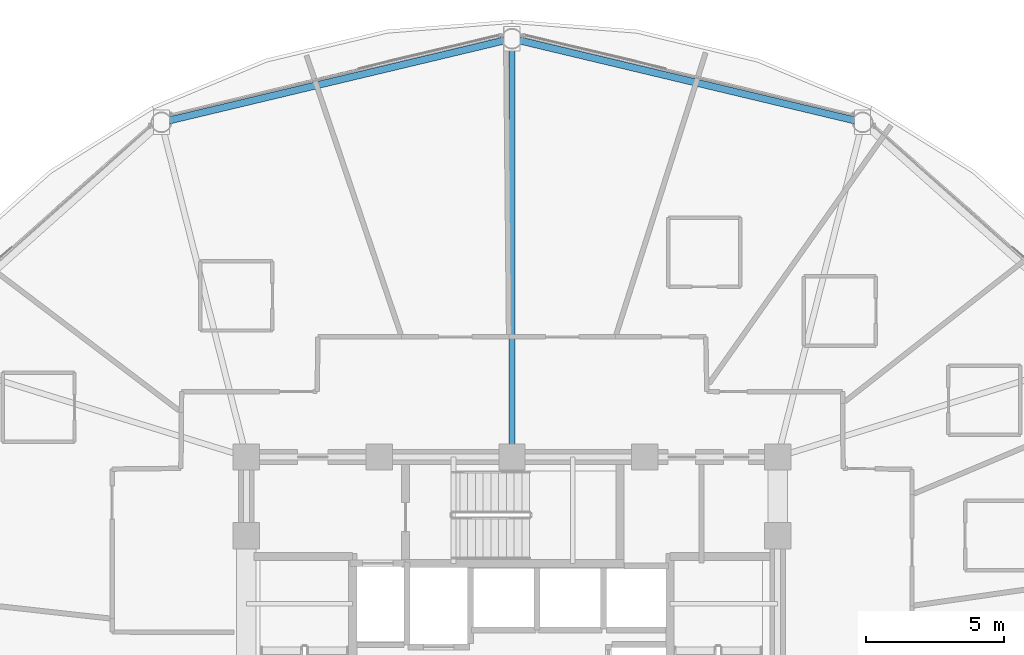
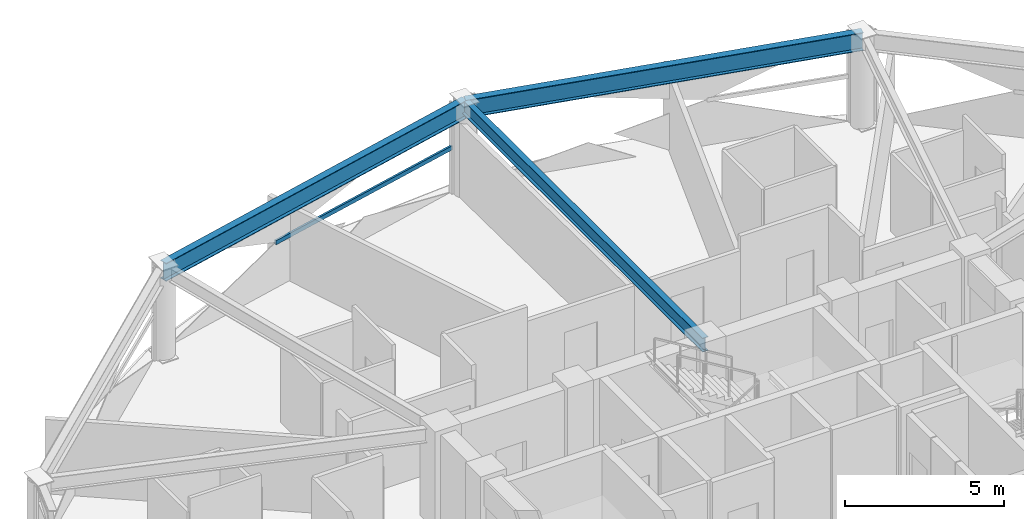
# One storey, part 17 of 31: 3 beams, 1 member, 1 element without a shape of its own.
"""IFC4 building model written with IfcOpenShell, lengths in metres."""

import ifcopenshell
import ifcopenshell.guid

model = None  # the IFC model being written
_history = None  # IfcOwnerHistory: only IFC2X3 demands one
_inside = {}  # id of a spatial element -> (the spatial element, [elements in it])
_under = {}  # id of a project, library or spatial element -> (it, [spatial elements below it])
_declared = {}  # id of a project -> (the project, [libraries it declares])
_typed = {}  # id of a type object -> (the type object, [elements of that type])
_made_of = {}  # id of a material, layer set ... -> (it, [elements and type objects made of it])


def new_model(schema):
    """Start an empty IFC model of exactly this schema.

    Asked for "IFC4X3", IfcOpenShell would pick the latest addendum, in which some entities
    have other attributes; the version numbers below select the first issue.
    IFC2X3 requires an IfcOwnerHistory on every rooted entity: one is made here for all.
    """
    global model, _history
    if schema == "IFC4X3":
        model = ifcopenshell.file(schema_version=(4, 3, 0, 0))
    else:
        model = ifcopenshell.file(schema=schema)
    _inside.clear()
    _under.clear()
    _declared.clear()
    _typed.clear()
    _made_of.clear()
    _history = None
    if model.schema == "IFC2X3":
        org = make("IfcOrganization", Name="unknown")
        user = make(
            "IfcPersonAndOrganization",
            ThePerson=make("IfcPerson", FamilyName="unknown"),
            TheOrganization=org,
        )
        app = make(
            "IfcApplication",
            ApplicationDeveloper=org,
            Version="unknown",
            ApplicationFullName="unknown",
            ApplicationIdentifier="unknown",
        )
        _history = make(
            "IfcOwnerHistory",
            OwningUser=user,
            OwningApplication=app,
            ChangeAction="ADDED",
            CreationDate=0,
        )
    return model


def make(cls, **values):
    """One entity of the class cls with the attributes given. An attribute that is None is left unset."""
    return model.create_entity(
        cls, **{name: value for name, value in values.items() if value is not None}
    )


def rooted(cls, **values):
    """An entity with a GlobalId (a new one), such as an element, a storey or a relation."""
    return make(cls, GlobalId=ifcopenshell.guid.new(), OwnerHistory=_history, **values)


def si_unit(unit_type, name, prefix=None):
    """IfcSIUnit, for example si_unit("LENGTHUNIT", "METRE", prefix="MILLI")."""
    return make("IfcSIUnit", UnitType=unit_type, Prefix=prefix, Name=name)


def assignment(units):
    """IfcUnitAssignment: the units of a project."""
    return None if units is None else make("IfcUnitAssignment", Units=units)


def point(xyz):
    """IfcCartesianPoint."""
    return None if xyz is None else make("IfcCartesianPoint", Coordinates=xyz)


def direction(xyz):
    """IfcDirection."""
    return None if xyz is None else make("IfcDirection", DirectionRatios=xyz)


def frame(location, z_axis=None, x_axis=None):
    """IfcAxis2Placement3D, a coordinate frame: its origin and axes. An axis left out is left unset."""
    return make(
        "IfcAxis2Placement3D",
        Location=point(location),
        Axis=direction(z_axis),
        RefDirection=direction(x_axis),
    )


def frame_2d(location, x_axis=None):
    """IfcAxis2Placement2D, a coordinate frame in the plane: its origin and x axis."""
    return make(
        "IfcAxis2Placement2D", Location=point(location), RefDirection=direction(x_axis)
    )


def origin():
    """The frame at (0, 0, 0) with its axes left unset."""
    return frame((0.0, 0.0, 0.0))


def origin_2d():
    """The frame at (0, 0) in the plane with its x axis left unset."""
    return frame_2d((0.0, 0.0))


def place(relative_to, where):
    """IfcLocalPlacement: puts the frame where relative to a parent placement (None: the world)."""
    return make(
        "IfcLocalPlacement", PlacementRelTo=relative_to, RelativePlacement=where
    )


def context(
    kind, dimensions, precision=None, world=None, true_north=None, identifier=None
):
    """IfcGeometricRepresentationContext, for example the 3D "Model" context."""
    return make(
        "IfcGeometricRepresentationContext",
        ContextIdentifier=identifier,
        ContextType=kind,
        CoordinateSpaceDimension=dimensions,
        Precision=precision,
        WorldCoordinateSystem=world,
        TrueNorth=true_north,
    )


def subcontext(parent, identifier, kind, view, scale=None):
    """IfcGeometricRepresentationSubContext, for example "Body" below "Model"."""
    return make(
        "IfcGeometricRepresentationSubContext",
        ContextIdentifier=identifier,
        ContextType=kind,
        ParentContext=parent,
        TargetScale=scale,
        TargetView=view,
    )


def project(units=None, contexts=None):
    """IfcProject with its units and contexts."""
    return rooted(
        "IfcProject",
        Name="project",
        RepresentationContexts=contexts,
        UnitsInContext=assignment(units),
    )


def spatial(cls, under=None, at=None, **own):
    """A site, building, storey or space (cls), placed at a placement, below another one or the project."""
    s = rooted(cls, ObjectPlacement=at, **own)
    if under is not None:
        _under.setdefault(under.id(), (under, []))[1].append(s)
    return s


def profile(cls, at=None, kind="AREA", **sizes):
    """A parametric profile (cls). Its sizes go by their IFC names, for example OverallWidth=200.0."""
    return make(cls, ProfileType=kind, Position=at, **sizes)


def hollow_rectangle(**sizes):
    """IfcRectangleHollowProfileDef."""
    return profile("IfcRectangleHollowProfileDef", **sizes)


def i_section(**sizes):
    """IfcIShapeProfileDef."""
    return profile("IfcIShapeProfileDef", **sizes)


def extrude(swept, where, along, depth):
    """IfcExtrudedAreaSolid: the profile swept, set in the frame where, extruded along a direction by depth."""
    return make(
        "IfcExtrudedAreaSolid",
        SweptArea=swept,
        Position=where,
        ExtrudedDirection=direction(along),
        Depth=depth,
    )


def shape(context_of_items, identifier, shape_type, items):
    """IfcShapeRepresentation: the items that make up one representation, for example the "Body"."""
    return make(
        "IfcShapeRepresentation",
        ContextOfItems=context_of_items,
        RepresentationIdentifier=identifier,
        RepresentationType=shape_type,
        Items=items,
    )


def material(Name=None, Category=None):
    """IfcMaterial."""
    return make("IfcMaterial", Name=Name, Category=Category)


def layer(
    of_material, thickness, ventilated=None, Name=None, Category=None, Priority=None
):
    """IfcMaterialLayer: one layer of a wall or slab, of a material (None: an air gap)."""
    return make(
        "IfcMaterialLayer",
        Material=of_material,
        LayerThickness=thickness,
        IsVentilated=ventilated,
        Name=Name,
        Category=Category,
        Priority=Priority,
    )


def layer_set(layers, Name=None):
    """IfcMaterialLayerSet."""
    return make("IfcMaterialLayerSet", MaterialLayers=layers, LayerSetName=Name)


def material_profile(
    of_material, cross_section, Name=None, Category=None, Priority=None
):
    """IfcMaterialProfile: a cross section and its material."""
    return make(
        "IfcMaterialProfile",
        Name=Name,
        Material=of_material,
        Profile=cross_section,
        Priority=Priority,
        Category=Category,
    )


def profile_set(profiles, Name=None, composite=None):
    """IfcMaterialProfileSet."""
    return make(
        "IfcMaterialProfileSet",
        Name=Name,
        MaterialProfiles=profiles,
        CompositeProfile=composite,
    )


def made_of(thing, what):
    """Note that an element or type object is made of a material, layer set ...; save() writes the relation."""
    if what is not None:
        _made_of.setdefault(what.id(), (what, []))[1].append(thing)
    return thing


def type_object(cls, material=None, **own):
    """A type object (cls), such as IfcWallType, which elements share."""
    return made_of(rooted(cls, **own), material)


def element(
    cls,
    number,
    at=None,
    inside=None,
    cuts=None,
    type_object=None,
    material=None,
    context=None,
    identifier="Body",
    shape_type=None,
    held_by="IfcProductDefinitionShape",
    body=None,
    shapes=None,
    **own,
):
    """One element of the class cls, such as IfcWall. Its Tag is "e" and its number.

    at: its placement. inside: the storey or other place that contains it. cuts: it is an
    opening in that element (IfcRelVoidsElement). A single representation is given by context,
    identifier, shape_type and body (its items); several are given by shapes. held_by: the class
    of the entity that holds the representations. save() writes the other relations.
    """
    e = rooted(cls, Tag="e%d" % number, ObjectPlacement=at, **own)
    if body is not None:
        shapes = [shape(context, identifier, shape_type, body)]
    if shapes is not None:
        e.Representation = make(held_by, Representations=shapes)
    if inside is not None:
        _inside.setdefault(inside.id(), (inside, []))[1].append(e)
    if cuts is not None:
        rooted(
            "IfcRelVoidsElement", RelatingBuildingElement=cuts, RelatedOpeningElement=e
        )
    if type_object is not None:
        _typed.setdefault(type_object.id(), (type_object, []))[1].append(e)
    return made_of(e, material)


def aggregate(whole, parts):
    """IfcRelAggregates: a whole, such as a stair, and the parts it consists of."""
    return rooted("IfcRelAggregates", RelatingObject=whole, RelatedObjects=parts)


def save(model, path):
    """Write the relations noted so far, then the file.

    IfcRelAggregates (storeys below a building ...), IfcRelContainedInSpatialStructure (elements
    in a storey), IfcRelDefinesByType, IfcRelAssociatesMaterial and IfcRelDeclares: one each for
    every whole, place, type object, material and project.
    """
    for whole, parts in _under.values():
        aggregate(whole, parts)
    for where, things in _inside.values():
        rooted(
            "IfcRelContainedInSpatialStructure",
            RelatedElements=things,
            RelatingStructure=where,
        )
    for kind, things in _typed.values():
        rooted("IfcRelDefinesByType", RelatedObjects=things, RelatingType=kind)
    for what, things in _made_of.values():
        rooted("IfcRelAssociatesMaterial", RelatedObjects=things, RelatingMaterial=what)
    for by, libraries in _declared.values():
        rooted("IfcRelDeclares", RelatingContext=by, RelatedDefinitions=libraries)
    model.write(path)


model = new_model("IFC4")

# Units and contexts
model_context = context("Model", 3, precision=1e-05, world=origin(), true_north=direction((0.0, 1.0)))
body_context = subcontext(model_context, "Body", "Model", "MODEL_VIEW")
ifc_project = project(units=[si_unit("LENGTHUNIT", "METRE"), si_unit("AREAUNIT", "SQUARE_METRE"), si_unit("VOLUMEUNIT", "CUBIC_METRE"), si_unit("PLANEANGLEUNIT", "RADIAN"), si_unit("MASSUNIT", "GRAM", prefix="KILO")], contexts=[model_context])

# Site, building, storey
site_placement = place(None, origin())
site = spatial("IfcSite", under=ifc_project, at=site_placement, CompositionType="ELEMENT")
building_placement = place(site_placement, origin())
building = spatial("IfcBuilding", under=site, at=building_placement, Name="Vantalir Tower", CompositionType="ELEMENT")
storey_placement = place(building_placement, frame((0.0, 0.0, 123.449951171875)))
storey = spatial("IfcBuildingStorey", under=building, at=storey_placement, Name="L30", CompositionType="ELEMENT", Elevation=123.449951171875)

# Beams
ifc_material_1 = material(Name="Steel S355", Category="steel")
ifc_material_profile_1 = material_profile(ifc_material_1, i_section(OverallWidth=0.2109375, OverallDepth=0.5390625, WebThickness=0.01171875, FlangeThickness=0.018798828125, at=origin_2d()), Name="Steel S355")
ifc_profile_set_1 = profile_set([ifc_material_profile_1], Name="Steel S355")
beam_type_1 = type_object("IfcBeamType", Name="BM-RB-533x210", PredefinedType="BEAM", material=ifc_profile_set_1)
beam_placement = place(storey_placement, frame((31.5, 47.56591796875, 3.300048828125), z_axis=(0.0, -1.0, 0.0), x_axis=(1.0, 0.0, 0.0)))
element("IfcBeam", 1, at=beam_placement, inside=storey, type_object=beam_type_1, Name="L30 Radial Floor Beam 04", PredefinedType="BEAM", context=body_context, shape_type="SweptSolid", body=[
    extrude(i_section(OverallWidth=0.2109375, OverallDepth=0.5390625, WebThickness=0.01171875, FlangeThickness=0.018798828125, at=origin_2d()), origin(), (0.0, 0.0, 1.0), 15.115966796875),
])
ifc_material_2 = material(Name="Steel S460", Category="steel")
ifc_material_profile_2 = material_profile(ifc_material_2, i_section(OverallWidth=0.256103515625, OverallDepth=0.693115234375, WebThickness=0.014404296875, FlangeThickness=0.023681640625, at=origin_2d()), Name="Steel S460")
ifc_profile_set_2 = profile_set([ifc_material_profile_2], Name="Steel S460")
beam_type_2 = type_object("IfcBeamType", Name="BM-RG-686x254", PredefinedType="USERDEFINED", material=ifc_profile_set_2)
for number, where, z_axis, x_axis, name in (
    (2, (44.169921875, 44.54296875, 3.22314453125), (-0.972697106811, 0.232078302307, 0.0), (-0.232078302307, -0.972697106811, 0.0), "L30 Circumferential Ring Girder 03"),
    (3, (31.5, 47.56591796875, 3.22314453125), (-0.972697106811, -0.232078302307, 0.0), (0.232078302307, -0.972697106811, 0.0), "L30 Circumferential Ring Girder 04"),
):
    element("IfcBeam", number, at=place(storey_placement, frame(where, z_axis=z_axis, x_axis=x_axis)), inside=storey, type_object=beam_type_2, Name=name, ObjectType="GIRDER", PredefinedType="USERDEFINED", context=body_context, shape_type="SweptSolid", body=[
        extrude(i_section(OverallWidth=0.256103515625, OverallDepth=0.693115234375, WebThickness=0.014404296875, FlangeThickness=0.023681640625, at=origin_2d()), origin(), (0.0, 0.0, 1.0), 13.025634765625),
    ])

# Curtain wall, member
ifc_material_3 = material(Name="Champagne-silver PVDF aluminium and double-silver Low-E glass", Category="aluminium")
ifc_layer = layer(ifc_material_3, 0.199951171875)
ifc_layer_set = layer_set([ifc_layer], Name="Champagne-silver PVDF aluminium and double-silver Low-E glass")
curtain_wall_type = type_object("IfcCurtainWallType", Name="CW-DIAMOND-Z2", PredefinedType="USERDEFINED", material=ifc_layer_set)
curtain_wall_placement = place(storey_placement, origin())
curtain_wall = element("IfcCurtainWall", 4, at=curtain_wall_placement, inside=storey, type_object=curtain_wall_type, Name="L30 Quilted Pyramid-Diamond Curtain Wall S04", ObjectType="UNITISED CURTAIN WALL", PredefinedType="USERDEFINED")
ifc_material_4 = material(Name="Champagne-silver PVDF aluminium 6063-T6", Category="aluminium")
ifc_material_profile_3 = material_profile(ifc_material_4, hollow_rectangle(XDim=0.074951171875, YDim=0.159912109375, WallThickness=0.00390625, at=origin_2d()), Name="Champagne-silver PVDF aluminium 6063-T6")
ifc_profile_set_3 = profile_set([ifc_material_profile_3], Name="Champagne-silver PVDF aluminium 6063-T6")
member_type = type_object("IfcMemberType", Name="CWT-160x75", PredefinedType="USERDEFINED", material=ifc_profile_set_3)
member_placement = place(storey_placement, frame((31.072021484375, 47.654052734375, 1.78515625), z_axis=(-0.973368661437, -0.229245390208, 0.0), x_axis=(0.229245390208, -0.973368661437, 0.0)))
member = element("IfcMember", 5, at=member_placement, type_object=member_type, Name="CW-L30-S04 Pyramid Fold Ridge Transom", ObjectType="TRANSOM", PredefinedType="USERDEFINED", context=body_context, shape_type="SweptSolid", body=[
    extrude(hollow_rectangle(XDim=0.074951171875, YDim=0.159912109375, WallThickness=0.00390625, at=origin_2d()), origin(), (0.0, 0.0, 1.0), 7.59423828125),
])
aggregate(curtain_wall, [member])

save(model, "model.ifc")
